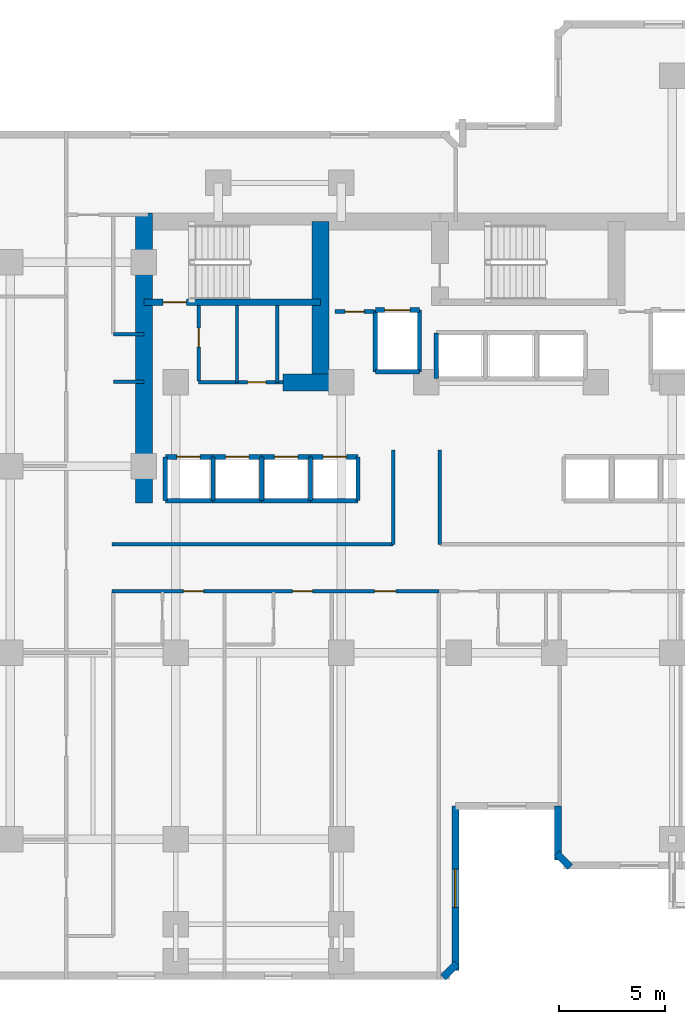
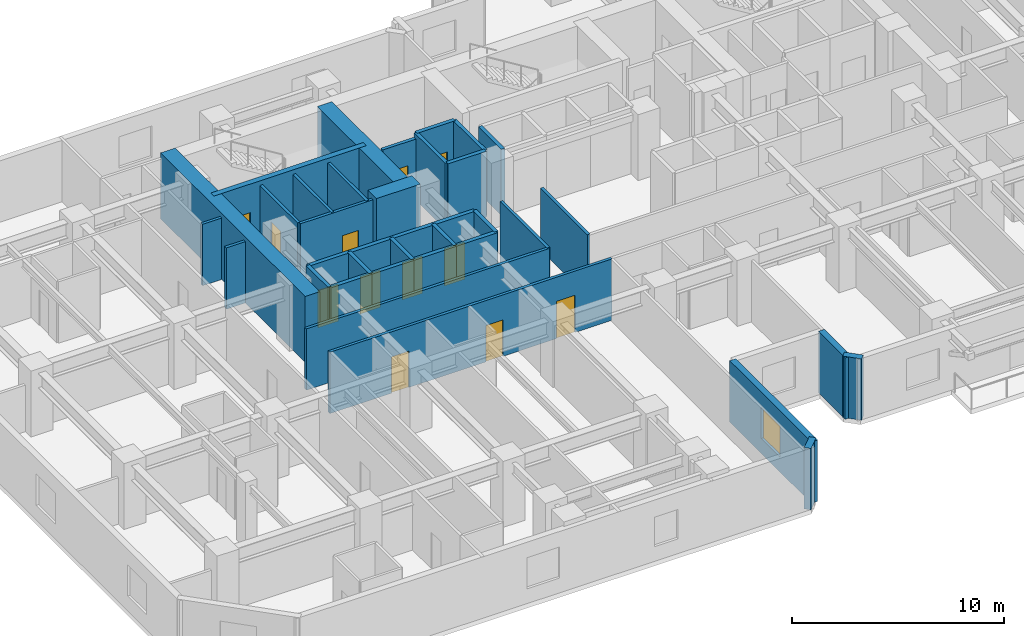
# One storey, part 6 of 12: 37 walls, 12 doors, 1 window, 13 openings.
"""IFC4 building model written with IfcOpenShell, lengths in metres."""

from ifc_helpers import new_model, si_unit, direction, frame, frame_2d, origin, place, context, subcontext, project, spatial, rectangle, extrude, material, layer, layer_set, type_object, element, fill, save


model = new_model("IFC4")

# Units and contexts
model_context = context("Model", 3, precision=1e-05, world=origin(), true_north=direction((0.0, 1.0)))
body_context = subcontext(model_context, "Body", "Model", "MODEL_VIEW")
ifc_project = project(units=[si_unit("LENGTHUNIT", "METRE"), si_unit("AREAUNIT", "SQUARE_METRE"), si_unit("VOLUMEUNIT", "CUBIC_METRE"), si_unit("PLANEANGLEUNIT", "RADIAN"), si_unit("MASSUNIT", "GRAM", prefix="KILO")], contexts=[model_context])

# Site, building, storey
site_placement = place(None, origin())
site = spatial("IfcSite", under=ifc_project, at=site_placement, CompositionType="ELEMENT")
building_placement = place(site_placement, origin())
building = spatial("IfcBuilding", under=site, at=building_placement, Name="Kestravale Grand Hotel", CompositionType="ELEMENT")
storey_placement = place(building_placement, frame((0.0, 0.0, 122.199951171875)))
storey = spatial("IfcBuildingStorey", under=building, at=storey_placement, Name="L30", CompositionType="ELEMENT", Elevation=122.199951171875)

# Walls
ifc_material_1 = material(Name="Concrete f'c 60 MPa", Category="concrete")
ifc_layer_1 = layer(ifc_material_1, 0.800048828125)
ifc_layer_set_1 = layer_set([ifc_layer_1], Name="EW-CORE-800")
wall_type_1 = type_object("IfcWallType", Name="EW-CORE-800", PredefinedType="SHEAR", material=ifc_layer_set_1)
wall_1_placement = place(storey_placement, frame((21.89990234375, 27.050048828125, 0.0), z_axis=(0.0, 0.0, 1.0), x_axis=(0.0, 1.0, 0.0)))
element("IfcWall", 1, at=wall_1_placement, inside=storey, type_object=wall_type_1, Name="L30 core shear wall W1", PredefinedType="SHEAR", context=body_context, shape_type="SweptSolid", body=[
    extrude(rectangle(XDim=13.669921875, YDim=0.800048828125, at=frame_2d((6.8349609375, 0.0))), origin(), (0.0, 0.0, 1.0), 3.800048828125),
])
wall_2_placement = place(storey_placement, frame((28.449951171875, 32.75, 0.0), z_axis=(0.0, 0.0, 1.0), x_axis=(1.0, 0.0, 0.0)))
element("IfcWall", 2, at=wall_2_placement, inside=storey, type_object=wall_type_1, Name="L30 core shear wall S1", PredefinedType="SHEAR", context=body_context, shape_type="SweptSolid", body=[
    extrude(rectangle(XDim=2.400146484375, YDim=0.800048828125, at=frame_2d((1.2001953125, 0.0))), origin(), (0.0, 0.0, 1.0), 3.800048828125),
])
wall_3_placement = place(storey_placement, frame((30.219970703125, 33.14990234375, 0.0), z_axis=(0.0, 0.0, 1.0), x_axis=(0.0, 1.0, 0.0)))
element("IfcWall", 3, at=wall_3_placement, inside=storey, type_object=wall_type_1, Name="L30 core shear wall X1", PredefinedType="SHEAR", context=body_context, shape_type="SweptSolid", body=[
    extrude(rectangle(XDim=7.170166015625, YDim=0.800048828125, at=frame_2d((3.5849609375, 0.0))), origin(), (0.0, 0.0, 1.0), 3.800048828125),
])
ifc_material_2 = material(Name="Precast concrete f'c 45 MPa", Category="concrete")
ifc_layer_2 = layer(ifc_material_2, 0.340087890625)
ifc_layer_set_2 = layer_set([ifc_layer_2], Name="EW-PREC-340")
wall_type_2 = type_object("IfcWallType", Name="EW-PREC-340", PredefinedType="SOLIDWALL", material=ifc_layer_set_2)
wall_4_placement = place(storey_placement, frame((36.00146484375, 4.69189453125, 0.0), z_axis=(0.0, 0.0, 1.0), x_axis=(0.707238225886, 0.706975312048, 0.0)))
element("IfcWall", 4, at=wall_4_placement, inside=storey, type_object=wall_type_2, Name="L30 fluted precast facade wall 2", PredefinedType="SOLIDWALL", context=body_context, shape_type="SweptSolid", body=[
    extrude(rectangle(XDim=0.9287109375, YDim=0.340087890625, at=frame_2d((0.46435546875, 0.0))), origin(), (0.0, 0.0, 1.0), 3.5400390625),
])

# Wall, opening, window
wall_5_placement = place(storey_placement, frame((36.580078125, 5.030029296875, 0.0), z_axis=(0.0, 0.0, 1.0), x_axis=(0.0, 1.0, 0.0)))
wall_5 = element("IfcWall", 5, at=wall_5_placement, inside=storey, type_object=wall_type_2, Name="L30 fluted precast facade wall 3", PredefinedType="SOLIDWALL", context=body_context, shape_type="SweptSolid", body=[
    extrude(rectangle(XDim=7.739990234375, YDim=0.340087890625, at=frame_2d((3.8701171875, 0.0))), origin(), (0.0, 0.0, 1.0), 3.5400390625),
])
opening_1_placement = place(wall_5_placement, frame((2.969970703125, 0.0, 0.85009765625)))
opening_1 = element("IfcOpeningElement", 6, at=opening_1_placement, cuts=wall_5, Name="Opening W-GUEST-1800", PredefinedType="OPENING", context=body_context, shape_type="SweptSolid", body=[
    extrude(rectangle(XDim=1.800048828125, YDim=1.800048828125, at=frame_2d((0.89990234375, 0.89990234375))), frame((0.0, 0.179931640625, 0.0), z_axis=(0.0, -1.0, 0.0), x_axis=(1.0, 0.0, 0.0)), (0.0, 0.0, 1.0), 0.360107421875),
])
ifc_material_3 = material(Name="Insulated low-E double glazing in aluminium frame", Category="aluminium")
window_type = type_object("IfcWindowType", Name="W-GUEST-1800", PartitioningType="DOUBLE_PANEL_VERTICAL", PredefinedType="WINDOW", material=ifc_material_3)
window_placement = place(opening_1_placement, origin())
window = element("IfcWindow", 7, at=window_placement, inside=storey, type_object=window_type, Name="L30 exterior window 3.1", OverallHeight=1.800048828125, OverallWidth=1.800048828125, PartitioningType="SINGLE_PANEL", PredefinedType="WINDOW", context=body_context, shape_type="SweptSolid", body=[
    extrude(rectangle(XDim=1.800048828125, YDim=1.800048828125, at=frame_2d((0.89990234375, 0.89990234375))), frame((0.0, 0.030029296875, 0.0), z_axis=(0.0, -1.0, 0.0), x_axis=(1.0, 0.0, 0.0)), (0.0, 0.0, 1.0), 0.06005859375),
])
fill(opening_1, window)

# Walls
wall_6_placement = place(storey_placement, frame((41.419921875, 12.77001953125, 0.0), z_axis=(0.0, 0.0, 1.0), x_axis=(0.0, -1.0, 0.0)))
element("IfcWall", 8, at=wall_6_placement, inside=storey, type_object=wall_type_2, Name="L30 fluted precast facade wall 5", PredefinedType="SOLIDWALL", context=body_context, shape_type="SweptSolid", body=[
    extrude(rectangle(XDim=2.5400390625, YDim=0.340087890625, at=frame_2d((1.27001953125, 0.0))), origin(), (0.0, 0.0, 1.0), 3.5400390625),
])
wall_7_placement = place(storey_placement, frame((41.341796875, 10.548583984375, 0.0), z_axis=(0.0, 0.0, 1.0), x_axis=(0.707106781187, -0.707106781187, 0.0)))
element("IfcWall", 9, at=wall_7_placement, inside=storey, type_object=wall_type_2, Name="L30 fluted precast facade wall 6", PredefinedType="SOLIDWALL", context=body_context, shape_type="SweptSolid", body=[
    extrude(rectangle(XDim=0.9287109375, YDim=0.340087890625, at=frame_2d((0.46435546875, 0.0))), origin(), (0.0, 0.0, 1.0), 3.5400390625),
])

# Wall, opening, door
ifc_material_4 = material(Name="Concrete f'c 45 MPa", Category="concrete")
ifc_layer_3 = layer(ifc_material_4, 0.300048828125)
ifc_layer_set_3 = layer_set([ifc_layer_3], Name="EW-STAIR-300")
wall_type_3 = type_object("IfcWallType", Name="EW-STAIR-300", PredefinedType="SHEAR", material=ifc_layer_set_3)
wall_8_placement = place(storey_placement, frame((21.89990234375, 36.52001953125, 0.0), z_axis=(0.0, 0.0, 1.0), x_axis=(1.0, 0.0, 0.0)))
wall_8 = element("IfcWall", 10, at=wall_8_placement, inside=storey, type_object=wall_type_3, Name="L30 stair enclosure shear wall SST1", PredefinedType="SHEAR", context=body_context, shape_type="SweptSolid", body=[
    extrude(rectangle(XDim=8.320068359375, YDim=0.300048828125, at=frame_2d((4.16015625, 0.0))), origin(), (0.0, 0.0, 1.0), 3.800048828125),
])
opening_2_placement = place(wall_8_placement, frame((0.89990234375, 0.0, 0.0)))
opening_2 = element("IfcOpeningElement", 11, at=opening_2_placement, cuts=wall_8, Name="Opening D-ST-1100", PredefinedType="OPENING", context=body_context, shape_type="SweptSolid", body=[
    extrude(rectangle(XDim=1.10009765625, YDim=2.14990234375, at=frame_2d((0.550048828125, 1.074951171875))), frame((0.0, 0.159912109375, 0.0), z_axis=(0.0, -1.0, 0.0), x_axis=(1.0, 0.0, 0.0)), (0.0, 0.0, 1.0), 0.320068359375),
])
ifc_material_5 = material(Name="Galvanised 90-minute fire-rated steel stair door", Category="steel")
door_type_1 = type_object("IfcDoorType", Name="D-ST-1100", OperationType="NOTDEFINED", PredefinedType="DOOR", material=ifc_material_5)
door_1_placement = place(opening_2_placement, origin())
door_1 = element("IfcDoor", 12, at=door_1_placement, inside=storey, type_object=door_type_1, Name="L30 Stair ST-1 fire door", OperationType="SINGLE_SWING_RIGHT", OverallHeight=2.14990234375, OverallWidth=1.10009765625, PredefinedType="DOOR", context=body_context, shape_type="SweptSolid", body=[
    extrude(rectangle(XDim=1.10009765625, YDim=2.14990234375, at=frame_2d((0.550048828125, 1.074951171875))), frame((0.0, 0.02490234375, 0.0), z_axis=(0.0, -1.0, 0.0), x_axis=(1.0, 0.0, 0.0)), (0.0, 0.0, 1.0), 0.050048828125),
])
fill(opening_2, door_1)

ifc_material_6 = material(Name="Acoustic fire-rated gypsum board partition", Category="other")
ifc_layer_4 = layer(ifc_material_6, 0.159912109375)
ifc_layer_set_4 = layer_set([ifc_layer_4], Name="IW-CORR-160")
wall_type_4 = type_object("IfcWallType", Name="IW-CORR-160", PredefinedType="PARTITIONING", material=ifc_layer_set_4)
wall_9_placement = place(storey_placement, frame((24.47998046875, 32.800048828125, 0.0), z_axis=(0.0, 0.0, 1.0), x_axis=(0.0, 1.0, 0.0)))
wall_9 = element("IfcWall", 13, at=wall_9_placement, inside=storey, type_object=wall_type_4, Name="L30 west core vestibule wall", PredefinedType="PARTITIONING", context=body_context, shape_type="SweptSolid", body=[
    extrude(rectangle(XDim=3.570068359375, YDim=0.159912109375, at=frame_2d((1.78515625, 0.0))), origin(), (0.0, 0.0, 1.0), 3.5400390625),
])
opening_3_placement = place(wall_9_placement, frame((1.603515625, 0.0, 0.0)))
opening_3 = element("IfcOpeningElement", 14, at=opening_3_placement, cuts=wall_9, Name="Opening D-SH-900", PredefinedType="OPENING", context=body_context, shape_type="SweptSolid", body=[
    extrude(rectangle(XDim=0.89990234375, YDim=2.10009765625, at=frame_2d((0.449951171875, 1.050048828125))), frame((0.0, 0.08984375, 0.0), z_axis=(0.0, -1.0, 0.0), x_axis=(1.0, 0.0, 0.0)), (0.0, 0.0, 1.0), 0.179931640625),
])
ifc_material_7 = material(Name="Galvanised 90-minute shaft and service fire door", Category="steel")
door_type_2 = type_object("IfcDoorType", Name="D-SH-900", OperationType="NOTDEFINED", PredefinedType="DOOR", material=ifc_material_7)
door_2_placement = place(opening_3_placement, origin())
door_2 = element("IfcDoor", 15, at=door_2_placement, inside=storey, type_object=door_type_2, Name="D-L30-HK", OperationType="SINGLE_SWING_RIGHT", OverallHeight=2.10009765625, OverallWidth=0.89990234375, PredefinedType="DOOR", context=body_context, shape_type="SweptSolid", body=[
    extrude(rectangle(XDim=0.89990234375, YDim=2.10009765625, at=frame_2d((0.449951171875, 1.050048828125))), frame((0.0, 0.02490234375, 0.0), z_axis=(0.0, -1.0, 0.0), x_axis=(1.0, 0.0, 0.0)), (0.0, 0.0, 1.0), 0.050048828125),
])
fill(opening_3, door_2)

wall_10_placement = place(storey_placement, frame((24.47998046875, 32.75, 0.0), z_axis=(0.0, 0.0, 1.0), x_axis=(1.0, 0.0, 0.0)))
wall_10 = element("IfcWall", 16, at=wall_10_placement, inside=storey, type_object=wall_type_4, Name="W-L30-CWS", PredefinedType="PARTITIONING", context=body_context, shape_type="SweptSolid", body=[
    extrude(rectangle(XDim=3.969970703125, YDim=0.159912109375, at=frame_2d((1.98486328125, 0.0))), origin(), (0.0, 0.0, 1.0), 3.5400390625),
])
opening_4_placement = place(wall_10_placement, frame((2.31005859375, 0.0, 0.0)))
opening_4 = element("IfcOpeningElement", 17, at=opening_4_placement, cuts=wall_10, Name="Opening D-SH-860", PredefinedType="OPENING", context=body_context, shape_type="SweptSolid", body=[
    extrude(rectangle(XDim=0.860107421875, YDim=2.050048828125, at=frame_2d((0.43017578125, 1.02490234375))), frame((0.0, 0.08984375, 0.0), z_axis=(0.0, -1.0, 0.0), x_axis=(1.0, 0.0, 0.0)), (0.0, 0.0, 1.0), 0.179931640625),
])
ifc_material_8 = material(Name="Galvanised 90-minute riser fire door", Category="steel")
door_type_3 = type_object("IfcDoorType", Name="D-SH-860", OperationType="NOTDEFINED", PredefinedType="DOOR", material=ifc_material_8)
door_3_placement = place(opening_4_placement, origin())
door_3 = element("IfcDoor", 18, at=door_3_placement, inside=storey, type_object=door_type_3, Name="D-L30-IDF", OperationType="SINGLE_SWING_RIGHT", OverallHeight=2.050048828125, OverallWidth=0.860107421875, PredefinedType="DOOR", context=body_context, shape_type="SweptSolid", body=[
    extrude(rectangle(XDim=0.860107421875, YDim=2.050048828125, at=frame_2d((0.43017578125, 1.02490234375))), frame((0.0, 0.02490234375, 0.0), z_axis=(0.0, -1.0, 0.0), x_axis=(1.0, 0.0, 0.0)), (0.0, 0.0, 1.0), 0.050048828125),
])
fill(opening_4, door_3)

# Walls
wall_11_placement = place(storey_placement, frame((20.39990234375, 25.110107421875, 0.0), z_axis=(0.0, 0.0, 1.0), x_axis=(1.0, 0.0, 0.0)))
element("IfcWall", 19, at=wall_11_placement, inside=storey, type_object=wall_type_4, Name="W-L30-CW-N", PredefinedType="PARTITIONING", context=body_context, shape_type="SweptSolid", body=[
    extrude(rectangle(XDim=13.25, YDim=0.159912109375, at=frame_2d((6.625, 0.0))), origin(), (0.0, 0.0, 1.0), 3.5400390625),
])
for number, where, z_axis, x_axis, name in (
    (20, (33.64990234375, 25.110107421875, 0.0), (0.0, 0.0, 1.0), (0.0, 1.0, 0.0), "W-L30-TRUNK-W"),
    (21, (35.85009765625, 25.110107421875, 0.0), (0.0, 0.0, 1.0), (0.0, 1.0, 0.0), "W-L30-TRUNK-E"),
):
    element("IfcWall", number, at=place(storey_placement, frame(where, z_axis=z_axis, x_axis=x_axis)), inside=storey, type_object=wall_type_4, Name=name, PredefinedType="PARTITIONING", context=body_context, shape_type="SweptSolid", body=[
        extrude(rectangle(XDim=4.43994140625, YDim=0.159912109375, at=frame_2d((2.219970703125, 0.0))), origin(), (0.0, 0.0, 1.0), 3.5400390625),
    ])

# Wall, openings, doors
wall_12_placement = place(storey_placement, frame((20.39990234375, 22.889892578125, 0.0), z_axis=(0.0, 0.0, 1.0), x_axis=(1.0, 0.0, 0.0)))
wall_12 = element("IfcWall", 22, at=wall_12_placement, inside=storey, type_object=wall_type_4, Name="W-L30-CW-S", PredefinedType="PARTITIONING", context=body_context, shape_type="SweptSolid", body=[
    extrude(rectangle(XDim=15.400146484375, YDim=0.159912109375, at=frame_2d((7.7001953125, 0.0))), origin(), (0.0, 0.0, 1.0), 3.5400390625),
])
opening_5_placement = place(wall_12_placement, frame((3.360107421875, 0.0, 0.0)))
opening_5 = element("IfcOpeningElement", 23, at=opening_5_placement, cuts=wall_12, Name="Opening D-GUEST-950", PredefinedType="OPENING", context=body_context, shape_type="SweptSolid", body=[
    extrude(rectangle(XDim=0.949951171875, YDim=2.10009765625, at=frame_2d((0.47509765625, 1.050048828125))), frame((0.0, 0.08984375, 0.0), z_axis=(0.0, -1.0, 0.0), x_axis=(1.0, 0.0, 0.0)), (0.0, 0.0, 1.0), 0.179931640625),
])
opening_6_placement = place(wall_12_placement, frame((8.5048828125, 0.0, 0.0)))
opening_6 = element("IfcOpeningElement", 24, at=opening_6_placement, cuts=wall_12, Name="Opening D-GUEST-950", PredefinedType="OPENING", context=body_context, shape_type="SweptSolid", body=[
    extrude(rectangle(XDim=0.949951171875, YDim=2.10009765625, at=frame_2d((0.47509765625, 1.050048828125))), frame((0.0, 0.08984375, 0.0), z_axis=(0.0, -1.0, 0.0), x_axis=(1.0, 0.0, 0.0)), (0.0, 0.0, 1.0), 0.179931640625),
])
opening_7_placement = place(wall_12_placement, frame((12.375, 0.0, 0.0)))
opening_7 = element("IfcOpeningElement", 25, at=opening_7_placement, cuts=wall_12, Name="Opening D-GUEST-1000", PredefinedType="OPENING", context=body_context, shape_type="SweptSolid", body=[
    extrude(rectangle(XDim=1.0, YDim=2.14990234375, at=frame_2d((0.5, 1.074951171875))), frame((0.0, 0.08984375, 0.0), z_axis=(0.0, -1.0, 0.0), x_axis=(1.0, 0.0, 0.0)), (0.0, 0.0, 1.0), 0.179931640625),
])
ifc_material_9 = material(Name="Accessible walnut veneer hotel entrance fire door", Category="wood")
door_type_4 = type_object("IfcDoorType", Name="D-GUEST-1000", OperationType="NOTDEFINED", PredefinedType="DOOR", material=ifc_material_9)
door_4_placement = place(opening_7_placement, origin())
door_4 = element("IfcDoor", 26, at=door_4_placement, inside=storey, type_object=door_type_4, Name="D-L30-AMW", OperationType="SINGLE_SWING_LEFT", OverallHeight=2.14990234375, OverallWidth=1.0, PredefinedType="DOOR", context=body_context, shape_type="SweptSolid", body=[
    extrude(rectangle(XDim=1.0, YDim=2.14990234375, at=frame_2d((0.5, 1.074951171875))), frame((0.0, 0.02490234375, 0.0), z_axis=(0.0, -1.0, 0.0), x_axis=(1.0, 0.0, 0.0)), (0.0, 0.0, 1.0), 0.050048828125),
])
fill(opening_7, door_4)
ifc_material_10 = material(Name="Walnut veneer hotel guestroom entrance fire door", Category="wood")
door_type_5 = type_object("IfcDoorType", Name="D-GUEST-950", OperationType="NOTDEFINED", PredefinedType="DOOR", material=ifc_material_10)
door_5_placement = place(opening_5_placement, origin())
door_5 = element("IfcDoor", 27, at=door_5_placement, inside=storey, type_object=door_type_5, Name="D-L30-U01-ENT", OperationType="SINGLE_SWING_RIGHT", OverallHeight=2.10009765625, OverallWidth=0.949951171875, PredefinedType="DOOR", context=body_context, shape_type="SweptSolid", body=[
    extrude(rectangle(XDim=0.949951171875, YDim=2.10009765625, at=frame_2d((0.47509765625, 1.050048828125))), frame((0.0, 0.02490234375, 0.0), z_axis=(0.0, -1.0, 0.0), x_axis=(1.0, 0.0, 0.0)), (0.0, 0.0, 1.0), 0.050048828125),
])
fill(opening_5, door_5)
door_6_placement = place(opening_6_placement, origin())
door_6 = element("IfcDoor", 28, at=door_6_placement, inside=storey, type_object=door_type_5, Name="D-L30-U02-ENT", OperationType="SINGLE_SWING_RIGHT", OverallHeight=2.10009765625, OverallWidth=0.949951171875, PredefinedType="DOOR", context=body_context, shape_type="SweptSolid", body=[
    extrude(rectangle(XDim=0.949951171875, YDim=2.10009765625, at=frame_2d((0.47509765625, 1.050048828125))), frame((0.0, 0.02490234375, 0.0), z_axis=(0.0, -1.0, 0.0), x_axis=(1.0, 0.0, 0.0)), (0.0, 0.0, 1.0), 0.050048828125),
])
fill(opening_6, door_6)

# Walls
for number, where, z_axis, x_axis, name in (
    (29, (20.4599609375, 35.02001953125, 0.0), (0.0, 0.0, 1.0), (1.0, 0.0, 0.0), "W-L30-SW-CN"),
    (30, (20.4599609375, 32.780029296875, 0.0), (0.0, 0.0, 1.0), (1.0, 0.0, 0.0), "W-L30-SW-CS"),
):
    element("IfcWall", number, at=place(storey_placement, frame(where, z_axis=z_axis, x_axis=x_axis)), inside=storey, type_object=wall_type_4, Name=name, PredefinedType="PARTITIONING", context=body_context, shape_type="SweptSolid", body=[
        extrude(rectangle(XDim=1.43994140625, YDim=0.159912109375, at=frame_2d((0.719970703125, 0.0))), origin(), (0.0, 0.0, 1.0), 3.5400390625),
    ])

# Wall, opening, door
ifc_material_11 = material(Name="Fire-rated gypsum board on steel studs with mineral wool", Category="steel")
ifc_layer_5 = layer(ifc_material_11, 0.179931640625)
ifc_layer_set_5 = layer_set([ifc_layer_5], Name="IW-FSAE-180")
wall_type_5 = type_object("IfcWallType", Name="IW-FSAE-180", PredefinedType="PARTITIONING", material=ifc_layer_set_5)
wall_13_placement = place(storey_placement, frame((30.89990234375, 36.080078125, 0.0), z_axis=(0.0, 0.0, 1.0), x_axis=(1.0, 0.0, 0.0)))
wall_13 = element("IfcWall", 31, at=wall_13_placement, inside=storey, type_object=wall_type_5, Name="L30 FSAE Lobby 1 smoke barrier", PredefinedType="PARTITIONING", context=body_context, shape_type="SweptSolid", body=[
    extrude(rectangle(XDim=1.85009765625, YDim=0.179931640625, at=frame_2d((0.925048828125, 0.0))), origin(), (0.0, 0.0, 1.0), 3.5400390625),
])
opening_8_placement = place(wall_13_placement, frame((0.47998046875, 0.0, 0.0)))
opening_8 = element("IfcOpeningElement", 32, at=opening_8_placement, cuts=wall_13, Name="Opening D-FSAE-1000", PredefinedType="OPENING", context=body_context, shape_type="SweptSolid", body=[
    extrude(rectangle(XDim=0.89990234375, YDim=2.14990234375, at=frame_2d((0.449951171875, 1.074951171875))), frame((0.0, 0.099853515625, 0.0), z_axis=(0.0, -1.0, 0.0), x_axis=(1.0, 0.0, 0.0)), (0.0, 0.0, 1.0), 0.199951171875),
])
ifc_material_12 = material(Name="Smoke-gasketed FSAE lobby fire door", Category="steel")
door_type_6 = type_object("IfcDoorType", Name="D-FSAE-1000", OperationType="NOTDEFINED", PredefinedType="DOOR", material=ifc_material_12)
door_7_placement = place(opening_8_placement, origin())
door_7 = element("IfcDoor", 33, at=door_7_placement, inside=storey, type_object=door_type_6, Name="L30 FSAE Lobby 1 fire door", OperationType="SINGLE_SWING_RIGHT", OverallHeight=2.14990234375, OverallWidth=0.89990234375, PredefinedType="DOOR", context=body_context, shape_type="SweptSolid", body=[
    extrude(rectangle(XDim=0.89990234375, YDim=2.14990234375, at=frame_2d((0.449951171875, 1.074951171875))), frame((0.0, 0.02490234375, 0.0), z_axis=(0.0, -1.0, 0.0), x_axis=(1.0, 0.0, 0.0)), (0.0, 0.0, 1.0), 0.050048828125),
])
fill(opening_8, door_7)

# Walls
ifc_material_13 = material(Name="Concrete f'c 45 MPa", Category="concrete")
ifc_layer_6 = layer(ifc_material_13, 0.199951171875)
ifc_layer_set_6 = layer_set([ifc_layer_6], Name="IW-SHAFT-200")
wall_type_6 = type_object("IfcWallType", Name="IW-SHAFT-200", PredefinedType="SHEAR", material=ifc_layer_set_6)
for number, where, z_axis, x_axis, name in (
    (34, (22.905029296875, 27.169921875, 0.0), (0.0, 0.0, 1.0), (0.0, 1.0, 0.0), "L30 PL-L1 west shaft wall"),
    (35, (25.14990234375, 27.169921875, 0.0), (0.0, 0.0, 1.0), (0.0, 1.0, 0.0), "L30 PL-L2 west shaft wall"),
    (36, (27.449951171875, 27.169921875, 0.0), (0.0, 0.0, 1.0), (0.0, 1.0, 0.0), "L30 PL-L3 west shaft wall"),
    (37, (29.75, 27.169921875, 0.0), (0.0, 0.0, 1.0), (0.0, 1.0, 0.0), "L30 PL-L4 west shaft wall"),
    (38, (31.9951171875, 27.169921875, 0.0), (0.0, 0.0, 1.0), (0.0, 1.0, 0.0), "L30 PL-L4 east shaft wall"),
):
    element("IfcWall", number, at=place(storey_placement, frame(where, z_axis=z_axis, x_axis=x_axis)), inside=storey, type_object=wall_type_6, Name=name, PredefinedType="SHEAR", context=body_context, shape_type="SweptSolid", body=[
        extrude(rectangle(XDim=2.06005859375, YDim=0.199951171875, at=frame_2d((1.030029296875, 0.0))), origin(), (0.0, 0.0, 1.0), 3.800048828125),
    ])
wall_14_placement = place(storey_placement, frame((35.679931640625, 32.919921875, 0.0), z_axis=(0.0, 0.0, 1.0), x_axis=(0.0, 1.0, 0.0)))
element("IfcWall", 39, at=wall_14_placement, inside=storey, type_object=wall_type_6, Name="L30 PL-X1 west shaft wall", PredefinedType="SHEAR", context=body_context, shape_type="SweptSolid", body=[
    extrude(rectangle(XDim=2.16015625, YDim=0.199951171875, at=frame_2d((1.080078125, 0.0))), origin(), (0.0, 0.0, 1.0), 3.800048828125),
])
for number, where, z_axis, x_axis, name in (
    (40, (32.804931640625, 33.2451171875, 0.0), (0.0, 0.0, 1.0), (0.0, 1.0, 0.0), "L30 FL-1 west shaft wall"),
    (41, (34.89501953125, 33.2451171875, 0.0), (0.0, 0.0, 1.0), (0.0, 1.0, 0.0), "L30 FL-1 east shaft wall"),
):
    element("IfcWall", number, at=place(storey_placement, frame(where, z_axis=z_axis, x_axis=x_axis)), inside=storey, type_object=wall_type_6, Name=name, PredefinedType="SHEAR", context=body_context, shape_type="SweptSolid", body=[
        extrude(rectangle(XDim=2.909912109375, YDim=0.199951171875, at=frame_2d((1.455078125, 0.0))), origin(), (0.0, 0.0, 1.0), 3.800048828125),
    ])

# Wall, opening, door
ifc_material_14 = material(Name="Concrete f'c 45 MPa", Category="concrete")
ifc_layer_7 = layer(ifc_material_14, 0.219970703125)
ifc_layer_set_7 = layer_set([ifc_layer_7], Name="IW-SHAFT-220")
wall_type_7 = type_object("IfcWallType", Name="IW-SHAFT-220", PredefinedType="SHEAR", material=ifc_layer_set_7)
wall_15_placement = place(storey_placement, frame((22.905029296875, 29.22998046875, 0.0), z_axis=(0.0, 0.0, 1.0), x_axis=(1.0, 0.0, 0.0)))
wall_15 = element("IfcWall", 42, at=wall_15_placement, inside=storey, type_object=wall_type_7, Name="L30 PL-L1 north shaft wall", PredefinedType="SHEAR", context=body_context, shape_type="SweptSolid", body=[
    extrude(rectangle(XDim=2.244873046875, YDim=0.219970703125, at=frame_2d((1.12255859375, 0.0))), origin(), (0.0, 0.0, 1.0), 3.800048828125),
])
opening_9_placement = place(wall_15_placement, frame((0.544921875, 0.0, 0.0)))
opening_9 = element("IfcOpeningElement", 43, at=opening_9_placement, cuts=wall_15, Name="Opening LD-PAX-1100", PredefinedType="OPENING", context=body_context, shape_type="SweptSolid", body=[
    extrude(rectangle(XDim=1.10009765625, YDim=2.14990234375, at=frame_2d((0.550048828125, 1.074951171875))), frame((0.0, 0.119873046875, 0.0), z_axis=(0.0, -1.0, 0.0), x_axis=(1.0, 0.0, 0.0)), (0.0, 0.0, 1.0), 0.239990234375),
])
ifc_material_15 = material(Name="Champagne-bronze center-opening sliding elevator landing door", Category="steel")
door_type_7 = type_object("IfcDoorType", Name="LD-PAX-1100", OperationType="NOTDEFINED", PredefinedType="DOOR", material=ifc_material_15)
door_8_placement = place(opening_9_placement, origin())
door_8 = element("IfcDoor", 44, at=door_8_placement, inside=storey, type_object=door_type_7, Name="L30 PL-L1 elevator landing sliding door", OperationType="DOUBLE_DOOR_SLIDING", OverallHeight=2.14990234375, OverallWidth=1.10009765625, PredefinedType="DOOR", context=body_context, shape_type="SweptSolid", body=[
    extrude(rectangle(XDim=1.10009765625, YDim=2.14990234375, at=frame_2d((0.550048828125, 1.074951171875))), frame((0.0, 0.02490234375, 0.0), z_axis=(0.0, -1.0, 0.0), x_axis=(1.0, 0.0, 0.0)), (0.0, 0.0, 1.0), 0.050048828125),
])
fill(opening_9, door_8)

# Wall
wall_16_placement = place(storey_placement, frame((22.905029296875, 27.169921875, 0.0), z_axis=(0.0, 0.0, 1.0), x_axis=(1.0, 0.0, 0.0)))
element("IfcWall", 45, at=wall_16_placement, inside=storey, type_object=wall_type_7, Name="L30 PL-L1 south shaft wall", PredefinedType="SHEAR", context=body_context, shape_type="SweptSolid", body=[
    extrude(rectangle(XDim=2.244873046875, YDim=0.219970703125, at=frame_2d((1.12255859375, 0.0))), origin(), (0.0, 0.0, 1.0), 3.800048828125),
])

# Wall, opening, door
wall_17_placement = place(storey_placement, frame((25.14990234375, 29.22998046875, 0.0), z_axis=(0.0, 0.0, 1.0), x_axis=(1.0, 0.0, 0.0)))
wall_17 = element("IfcWall", 46, at=wall_17_placement, inside=storey, type_object=wall_type_7, Name="L30 PL-L2 north shaft wall", PredefinedType="SHEAR", context=body_context, shape_type="SweptSolid", body=[
    extrude(rectangle(XDim=2.300048828125, YDim=0.219970703125, at=frame_2d((1.14990234375, 0.0))), origin(), (0.0, 0.0, 1.0), 3.800048828125),
])
opening_10_placement = place(wall_17_placement, frame((0.60009765625, 0.0, 0.0)))
opening_10 = element("IfcOpeningElement", 47, at=opening_10_placement, cuts=wall_17, Name="Opening LD-PAX-1100", PredefinedType="OPENING", context=body_context, shape_type="SweptSolid", body=[
    extrude(rectangle(XDim=1.10009765625, YDim=2.14990234375, at=frame_2d((0.550048828125, 1.074951171875))), frame((0.0, 0.119873046875, 0.0), z_axis=(0.0, -1.0, 0.0), x_axis=(1.0, 0.0, 0.0)), (0.0, 0.0, 1.0), 0.239990234375),
])
door_9_placement = place(opening_10_placement, origin())
door_9 = element("IfcDoor", 48, at=door_9_placement, inside=storey, type_object=door_type_7, Name="L30 PL-L2 elevator landing sliding door", OperationType="DOUBLE_DOOR_SLIDING", OverallHeight=2.14990234375, OverallWidth=1.10009765625, PredefinedType="DOOR", context=body_context, shape_type="SweptSolid", body=[
    extrude(rectangle(XDim=1.10009765625, YDim=2.14990234375, at=frame_2d((0.550048828125, 1.074951171875))), frame((0.0, 0.02490234375, 0.0), z_axis=(0.0, -1.0, 0.0), x_axis=(1.0, 0.0, 0.0)), (0.0, 0.0, 1.0), 0.050048828125),
])
fill(opening_10, door_9)

# Wall
wall_18_placement = place(storey_placement, frame((25.14990234375, 27.169921875, 0.0), z_axis=(0.0, 0.0, 1.0), x_axis=(1.0, 0.0, 0.0)))
element("IfcWall", 49, at=wall_18_placement, inside=storey, type_object=wall_type_7, Name="L30 PL-L2 south shaft wall", PredefinedType="SHEAR", context=body_context, shape_type="SweptSolid", body=[
    extrude(rectangle(XDim=2.300048828125, YDim=0.219970703125, at=frame_2d((1.14990234375, 0.0))), origin(), (0.0, 0.0, 1.0), 3.800048828125),
])

# Wall, opening, door
wall_19_placement = place(storey_placement, frame((27.449951171875, 29.22998046875, 0.0), z_axis=(0.0, 0.0, 1.0), x_axis=(1.0, 0.0, 0.0)))
wall_19 = element("IfcWall", 50, at=wall_19_placement, inside=storey, type_object=wall_type_7, Name="L30 PL-L3 north shaft wall", PredefinedType="SHEAR", context=body_context, shape_type="SweptSolid", body=[
    extrude(rectangle(XDim=2.300048828125, YDim=0.219970703125, at=frame_2d((1.14990234375, 0.0))), origin(), (0.0, 0.0, 1.0), 3.800048828125),
])
opening_11_placement = place(wall_19_placement, frame((0.60009765625, 0.0, 0.0)))
opening_11 = element("IfcOpeningElement", 51, at=opening_11_placement, cuts=wall_19, Name="Opening LD-PAX-1100", PredefinedType="OPENING", context=body_context, shape_type="SweptSolid", body=[
    extrude(rectangle(XDim=1.10009765625, YDim=2.14990234375, at=frame_2d((0.550048828125, 1.074951171875))), frame((0.0, 0.119873046875, 0.0), z_axis=(0.0, -1.0, 0.0), x_axis=(1.0, 0.0, 0.0)), (0.0, 0.0, 1.0), 0.239990234375),
])
door_10_placement = place(opening_11_placement, origin())
door_10 = element("IfcDoor", 52, at=door_10_placement, inside=storey, type_object=door_type_7, Name="L30 PL-L3 elevator landing sliding door", OperationType="DOUBLE_DOOR_SLIDING", OverallHeight=2.14990234375, OverallWidth=1.10009765625, PredefinedType="DOOR", context=body_context, shape_type="SweptSolid", body=[
    extrude(rectangle(XDim=1.10009765625, YDim=2.14990234375, at=frame_2d((0.550048828125, 1.074951171875))), frame((0.0, 0.02490234375, 0.0), z_axis=(0.0, -1.0, 0.0), x_axis=(1.0, 0.0, 0.0)), (0.0, 0.0, 1.0), 0.050048828125),
])
fill(opening_11, door_10)

# Wall
wall_20_placement = place(storey_placement, frame((27.449951171875, 27.169921875, 0.0), z_axis=(0.0, 0.0, 1.0), x_axis=(1.0, 0.0, 0.0)))
element("IfcWall", 53, at=wall_20_placement, inside=storey, type_object=wall_type_7, Name="L30 PL-L3 south shaft wall", PredefinedType="SHEAR", context=body_context, shape_type="SweptSolid", body=[
    extrude(rectangle(XDim=2.300048828125, YDim=0.219970703125, at=frame_2d((1.14990234375, 0.0))), origin(), (0.0, 0.0, 1.0), 3.800048828125),
])

# Wall, opening, door
wall_21_placement = place(storey_placement, frame((29.75, 29.22998046875, 0.0), z_axis=(0.0, 0.0, 1.0), x_axis=(1.0, 0.0, 0.0)))
wall_21 = element("IfcWall", 54, at=wall_21_placement, inside=storey, type_object=wall_type_7, Name="L30 PL-L4 north shaft wall", PredefinedType="SHEAR", context=body_context, shape_type="SweptSolid", body=[
    extrude(rectangle(XDim=2.2451171875, YDim=0.219970703125, at=frame_2d((1.12255859375, 0.0))), origin(), (0.0, 0.0, 1.0), 3.800048828125),
])
opening_12_placement = place(wall_21_placement, frame((0.60009765625, 0.0, 0.0)))
opening_12 = element("IfcOpeningElement", 55, at=opening_12_placement, cuts=wall_21, Name="Opening LD-PAX-1100", PredefinedType="OPENING", context=body_context, shape_type="SweptSolid", body=[
    extrude(rectangle(XDim=1.10009765625, YDim=2.14990234375, at=frame_2d((0.550048828125, 1.074951171875))), frame((0.0, 0.119873046875, 0.0), z_axis=(0.0, -1.0, 0.0), x_axis=(1.0, 0.0, 0.0)), (0.0, 0.0, 1.0), 0.239990234375),
])
door_11_placement = place(opening_12_placement, origin())
door_11 = element("IfcDoor", 56, at=door_11_placement, inside=storey, type_object=door_type_7, Name="L30 PL-L4 elevator landing sliding door", OperationType="DOUBLE_DOOR_SLIDING", OverallHeight=2.14990234375, OverallWidth=1.10009765625, PredefinedType="DOOR", context=body_context, shape_type="SweptSolid", body=[
    extrude(rectangle(XDim=1.10009765625, YDim=2.14990234375, at=frame_2d((0.550048828125, 1.074951171875))), frame((0.0, 0.02490234375, 0.0), z_axis=(0.0, -1.0, 0.0), x_axis=(1.0, 0.0, 0.0)), (0.0, 0.0, 1.0), 0.050048828125),
])
fill(opening_12, door_11)

# Wall
wall_22_placement = place(storey_placement, frame((29.75, 27.169921875, 0.0), z_axis=(0.0, 0.0, 1.0), x_axis=(1.0, 0.0, 0.0)))
element("IfcWall", 57, at=wall_22_placement, inside=storey, type_object=wall_type_7, Name="L30 PL-L4 south shaft wall", PredefinedType="SHEAR", context=body_context, shape_type="SweptSolid", body=[
    extrude(rectangle(XDim=2.2451171875, YDim=0.219970703125, at=frame_2d((1.12255859375, 0.0))), origin(), (0.0, 0.0, 1.0), 3.800048828125),
])

# Wall, opening, door
wall_23_placement = place(storey_placement, frame((32.804931640625, 36.155029296875, 0.0), z_axis=(0.0, 0.0, 1.0), x_axis=(1.0, 0.0, 0.0)))
wall_23 = element("IfcWall", 58, at=wall_23_placement, inside=storey, type_object=wall_type_7, Name="L30 FL-1 north shaft wall", PredefinedType="SHEAR", context=body_context, shape_type="SweptSolid", body=[
    extrude(rectangle(XDim=2.090087890625, YDim=0.219970703125, at=frame_2d((1.044921875, 0.0))), origin(), (0.0, 0.0, 1.0), 3.800048828125),
])
opening_13_placement = place(wall_23_placement, frame((0.445068359375, 0.0, 0.0)))
opening_13 = element("IfcOpeningElement", 59, at=opening_13_placement, cuts=wall_23, Name="Opening LD-FSAE-1200", PredefinedType="OPENING", context=body_context, shape_type="SweptSolid", body=[
    extrude(rectangle(XDim=1.199951171875, YDim=2.14990234375, at=frame_2d((0.60009765625, 1.074951171875))), frame((0.0, 0.119873046875, 0.0), z_axis=(0.0, -1.0, 0.0), x_axis=(1.0, 0.0, 0.0)), (0.0, 0.0, 1.0), 0.239990234375),
])
ifc_material_16 = material(Name="Stainless fire-service sliding elevator landing door", Category="steel")
door_type_8 = type_object("IfcDoorType", Name="LD-FSAE-1200", OperationType="NOTDEFINED", PredefinedType="DOOR", material=ifc_material_16)
door_12_placement = place(opening_13_placement, origin())
door_12 = element("IfcDoor", 60, at=door_12_placement, inside=storey, type_object=door_type_8, Name="L30 FL-1 elevator landing sliding door", OperationType="DOUBLE_DOOR_SLIDING", OverallHeight=2.14990234375, OverallWidth=1.199951171875, PredefinedType="DOOR", context=body_context, shape_type="SweptSolid", body=[
    extrude(rectangle(XDim=1.199951171875, YDim=2.14990234375, at=frame_2d((0.60009765625, 1.074951171875))), frame((0.0, 0.02490234375, 0.0), z_axis=(0.0, -1.0, 0.0), x_axis=(1.0, 0.0, 0.0)), (0.0, 0.0, 1.0), 0.050048828125),
])
fill(opening_13, door_12)

# Walls
wall_24_placement = place(storey_placement, frame((32.804931640625, 33.2451171875, 0.0), z_axis=(0.0, 0.0, 1.0), x_axis=(1.0, 0.0, 0.0)))
element("IfcWall", 61, at=wall_24_placement, inside=storey, type_object=wall_type_7, Name="L30 FL-1 south shaft wall", PredefinedType="SHEAR", context=body_context, shape_type="SweptSolid", body=[
    extrude(rectangle(XDim=2.090087890625, YDim=0.219970703125, at=frame_2d((1.044921875, 0.0))), origin(), (0.0, 0.0, 1.0), 3.800048828125),
])
ifc_material_17 = material(Name="Double-stud STC 52 acoustic demising partition", Category="other")
ifc_layer_8 = layer(ifc_material_17, 0.14990234375)
ifc_layer_set_8 = layer_set([ifc_layer_8], Name="IW-UNIT-150")
wall_type_8 = type_object("IfcWallType", Name="IW-UNIT-150", PredefinedType="PARTITIONING", material=ifc_layer_set_8)
for number, where, z_axis, x_axis, name in (
    (62, (26.280029296875, 32.75, 0.0), (0.0, 0.0, 1.0), (0.0, 1.0, 0.0), "W-L30-CC1-1"),
    (63, (28.179931640625, 32.75, 0.0), (0.0, 0.0, 1.0), (0.0, 1.0, 0.0), "W-L30-CC1-2"),
):
    element("IfcWall", number, at=place(storey_placement, frame(where, z_axis=z_axis, x_axis=x_axis)), inside=storey, type_object=wall_type_8, Name=name, PredefinedType="PARTITIONING", context=body_context, shape_type="SweptSolid", body=[
        extrude(rectangle(XDim=3.6201171875, YDim=0.14990234375, at=frame_2d((1.81005859375, 0.0))), origin(), (0.0, 0.0, 1.0), 3.5400390625),
    ])

save(model, "model.ifc")
